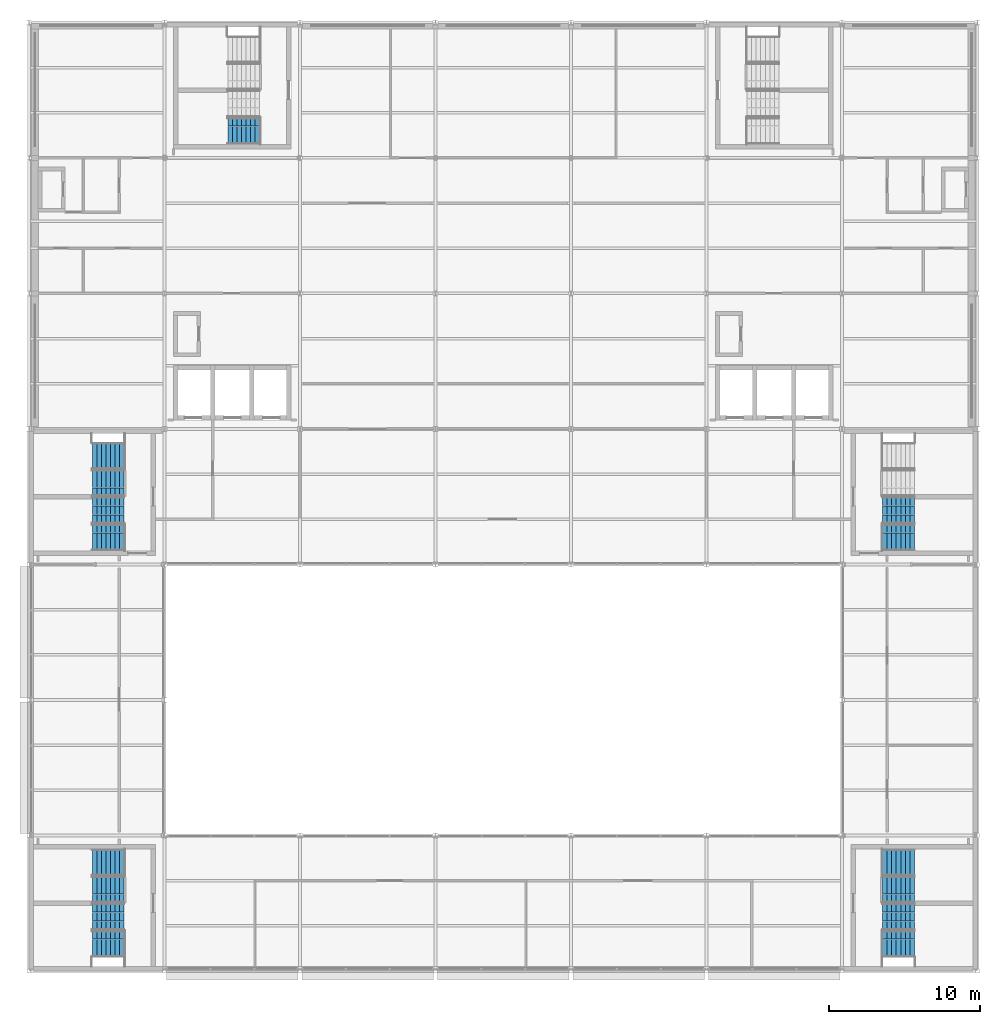
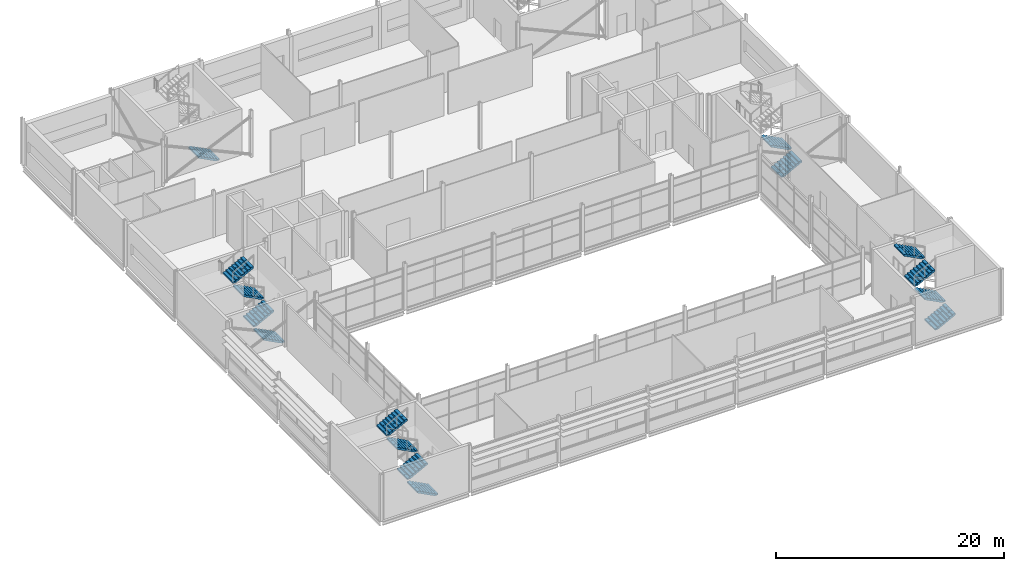
# One storey, part 54 of 61: 15 stair flights, 5 elements without a shape of their own.
"""IFC4 building model written with IfcOpenShell, lengths in metres."""

from ifc_helpers import new_model, si_unit, direction, frame, origin, place, context, subcontext, project, spatial, polyline, outline, extrude, material, type_object, element, aggregate, save


model = new_model("IFC4")

# Units and contexts
model_context = context("Model", 3, precision=1e-05, world=origin(), true_north=direction((0.0, 1.0)))
body_context = subcontext(model_context, "Body", "Model", "MODEL_VIEW")
ifc_project = project(units=[si_unit("LENGTHUNIT", "METRE"), si_unit("AREAUNIT", "SQUARE_METRE"), si_unit("VOLUMEUNIT", "CUBIC_METRE"), si_unit("PLANEANGLEUNIT", "RADIAN"), si_unit("MASSUNIT", "GRAM", prefix="KILO")], contexts=[model_context])

# Site, building, storey
site_placement = place(None, origin())
site = spatial("IfcSite", under=ifc_project, at=site_placement, CompositionType="ELEMENT")
building_placement = place(site_placement, origin())
building = spatial("IfcBuilding", under=site, at=building_placement, Name="Shorebreak Coast Museum", CompositionType="ELEMENT")
storey_placement = place(building_placement, frame((0.0, 0.0, 26.0)))
storey = spatial("IfcBuildingStorey", under=building, at=storey_placement, Name="L04", CompositionType="ELEMENT", Elevation=26.0)

# Stair, stair flights
ifc_material_1 = material(Name="Concrete N40 (40 MPa)", Category="concrete")
stair_type = type_object("IfcStairType", Name="Stair run 5 m", PredefinedType="DOUBLE_RETURN_STAIR", material=ifc_material_1)
stair_1_placement = place(storey_placement, origin())
stair_1 = element("IfcStair", 1, at=stair_1_placement, inside=storey, type_object=stair_type, Name="Exit stair ST01-L04", PredefinedType="DOUBLE_RETURN_STAIR")
ifc_material_2 = material(Name="Concrete N40 (40 MPa)", Category="concrete")
stair_flight_type = type_object("IfcStairFlightType", Name="Stair flight 8 risers 156.25", PredefinedType="STRAIGHT", material=ifc_material_2)
stair_flight_1_placement = place(storey_placement, frame((60.300048828125, 55.800048828125, 0.0), z_axis=(0.0, 0.0, 1.0), x_axis=(-1.0, 0.0, 0.0)))
stair_flight_1 = element("IfcStairFlight", 2, at=stair_flight_1_placement, type_object=stair_flight_type, Name="ST01-L04 flight 1", NumberOfRisers=8, NumberOfTreads=7, PredefinedType="STRAIGHT", RiserHeight=0.15625, TreadLength=0.3, context=body_context, shape_type="SweptSolid", body=[
    extrude(outline(polyline([(0.0, 0.0), (0.0, 0.15625), (0.300048828125, 0.15625), (0.300048828125, 0.3125), (0.60009765625, 0.3125), (0.60009765625, 0.46875), (0.89990234375, 0.46875), (0.89990234375, 0.625), (1.199951171875, 0.625), (1.199951171875, 0.78125), (1.5, 0.78125), (1.5, 0.9375), (1.800048828125, 0.9375), (1.800048828125, 1.09375), (2.10009765625, 1.09375), (2.10009765625, 1.25), (2.10009765625, 0.9248046875), (0.324462890625, 0.0), (0.0, 0.0)])), frame((0.0, 0.89990234375, 0.0), z_axis=(0.0, -1.0, 0.0), x_axis=(1.0, 0.0, 0.0)), (0.0, 0.0, 1.0), 0.59326171875),
    extrude(outline(polyline([(0.0, 0.0), (0.0, 0.15625), (0.300048828125, 0.15625), (0.300048828125, 0.3125), (0.60009765625, 0.3125), (0.60009765625, 0.46875), (0.89990234375, 0.46875), (0.89990234375, 0.625), (1.199951171875, 0.625), (1.199951171875, 0.78125), (1.5, 0.78125), (1.5, 0.9375), (1.800048828125, 0.9375), (1.800048828125, 1.09375), (2.10009765625, 1.09375), (2.10009765625, 1.25), (2.10009765625, 0.9248046875), (0.324462890625, 0.0), (0.0, 0.0)])), frame((0.0, 0.296630859375, 0.0), z_axis=(0.0, -1.0, 0.0), x_axis=(1.0, 0.0, 0.0)), (0.0, 0.0, 1.0), 0.59326171875),
    extrude(outline(polyline([(0.0, 0.0), (0.0, 0.15625), (0.300048828125, 0.15625), (0.300048828125, 0.3125), (0.60009765625, 0.3125), (0.60009765625, 0.46875), (0.89990234375, 0.46875), (0.89990234375, 0.625), (1.199951171875, 0.625), (1.199951171875, 0.78125), (1.5, 0.78125), (1.5, 0.9375), (1.800048828125, 0.9375), (1.800048828125, 1.09375), (2.10009765625, 1.09375), (2.10009765625, 1.25), (2.10009765625, 0.9248046875), (0.324462890625, 0.0), (0.0, 0.0)])), frame((0.0, -0.306640625, 0.0), z_axis=(0.0, -1.0, 0.0), x_axis=(1.0, 0.0, 0.0)), (0.0, 0.0, 1.0), 0.59326171875),
])
stair_flight_2_placement = place(storey_placement, frame((58.199951171875, 57.60009765625, 1.25), z_axis=(0.0, 0.0, 1.0), x_axis=(1.0, 0.0, 0.0)))
stair_flight_2 = element("IfcStairFlight", 3, at=stair_flight_2_placement, type_object=stair_flight_type, Name="ST01-L04 flight 2", NumberOfRisers=8, NumberOfTreads=7, PredefinedType="STRAIGHT", RiserHeight=0.15625, TreadLength=0.3, context=body_context, shape_type="SweptSolid", body=[
    extrude(outline(polyline([(0.0, 0.0), (0.0, 0.15625), (0.300048828125, 0.15625), (0.300048828125, 0.3125), (0.60009765625, 0.3125), (0.60009765625, 0.46875), (0.89990234375, 0.46875), (0.89990234375, 0.625), (1.199951171875, 0.625), (1.199951171875, 0.78125), (1.5, 0.78125), (1.5, 0.9375), (1.800048828125, 0.9375), (1.800048828125, 1.09375), (2.10009765625, 1.09375), (2.10009765625, 1.25), (2.10009765625, 0.9248046875), (0.324462890625, 0.0), (0.0, 0.0)])), frame((0.0, 0.89990234375, 0.0), z_axis=(0.0, -1.0, 0.0), x_axis=(1.0, 0.0, 0.0)), (0.0, 0.0, 1.0), 0.59326171875),
    extrude(outline(polyline([(0.0, 0.0), (0.0, 0.15625), (0.300048828125, 0.15625), (0.300048828125, 0.3125), (0.60009765625, 0.3125), (0.60009765625, 0.46875), (0.89990234375, 0.46875), (0.89990234375, 0.625), (1.199951171875, 0.625), (1.199951171875, 0.78125), (1.5, 0.78125), (1.5, 0.9375), (1.800048828125, 0.9375), (1.800048828125, 1.09375), (2.10009765625, 1.09375), (2.10009765625, 1.25), (2.10009765625, 0.9248046875), (0.324462890625, 0.0), (0.0, 0.0)])), frame((0.0, 0.296630859375, 0.0), z_axis=(0.0, -1.0, 0.0), x_axis=(1.0, 0.0, 0.0)), (0.0, 0.0, 1.0), 0.59326171875),
    extrude(outline(polyline([(0.0, 0.0), (0.0, 0.15625), (0.300048828125, 0.15625), (0.300048828125, 0.3125), (0.60009765625, 0.3125), (0.60009765625, 0.46875), (0.89990234375, 0.46875), (0.89990234375, 0.625), (1.199951171875, 0.625), (1.199951171875, 0.78125), (1.5, 0.78125), (1.5, 0.9375), (1.800048828125, 0.9375), (1.800048828125, 1.09375), (2.10009765625, 1.09375), (2.10009765625, 1.25), (2.10009765625, 0.9248046875), (0.324462890625, 0.0), (0.0, 0.0)])), frame((0.0, -0.306640625, 0.0), z_axis=(0.0, -1.0, 0.0), x_axis=(1.0, 0.0, 0.0)), (0.0, 0.0, 1.0), 0.59326171875),
])
stair_flight_3_placement = place(storey_placement, frame((60.300048828125, 59.39990234375, 2.5), z_axis=(0.0, 0.0, 1.0), x_axis=(-1.0, 0.0, 0.0)))
stair_flight_3 = element("IfcStairFlight", 4, at=stair_flight_3_placement, type_object=stair_flight_type, Name="ST01-L04 flight 3", NumberOfRisers=8, NumberOfTreads=7, PredefinedType="STRAIGHT", RiserHeight=0.15625, TreadLength=0.3, context=body_context, shape_type="SweptSolid", body=[
    extrude(outline(polyline([(0.0, 0.0), (0.0, 0.15625), (0.300048828125, 0.15625), (0.300048828125, 0.3125), (0.60009765625, 0.3125), (0.60009765625, 0.46875), (0.89990234375, 0.46875), (0.89990234375, 0.625), (1.199951171875, 0.625), (1.199951171875, 0.78125), (1.5, 0.78125), (1.5, 0.9375), (1.800048828125, 0.9375), (1.800048828125, 1.09375), (2.10009765625, 1.09375), (2.10009765625, 1.25), (2.10009765625, 0.9248046875), (0.324462890625, 0.0), (0.0, 0.0)])), frame((0.0, 0.89990234375, 0.0), z_axis=(0.0, -1.0, 0.0), x_axis=(1.0, 0.0, 0.0)), (0.0, 0.0, 1.0), 0.59326171875),
    extrude(outline(polyline([(0.0, 0.0), (0.0, 0.15625), (0.300048828125, 0.15625), (0.300048828125, 0.3125), (0.60009765625, 0.3125), (0.60009765625, 0.46875), (0.89990234375, 0.46875), (0.89990234375, 0.625), (1.199951171875, 0.625), (1.199951171875, 0.78125), (1.5, 0.78125), (1.5, 0.9375), (1.800048828125, 0.9375), (1.800048828125, 1.09375), (2.10009765625, 1.09375), (2.10009765625, 1.25), (2.10009765625, 0.9248046875), (0.324462890625, 0.0), (0.0, 0.0)])), frame((0.0, 0.296630859375, 0.0), z_axis=(0.0, -1.0, 0.0), x_axis=(1.0, 0.0, 0.0)), (0.0, 0.0, 1.0), 0.59326171875),
    extrude(outline(polyline([(0.0, 0.0), (0.0, 0.15625), (0.300048828125, 0.15625), (0.300048828125, 0.3125), (0.60009765625, 0.3125), (0.60009765625, 0.46875), (0.89990234375, 0.46875), (0.89990234375, 0.625), (1.199951171875, 0.625), (1.199951171875, 0.78125), (1.5, 0.78125), (1.5, 0.9375), (1.800048828125, 0.9375), (1.800048828125, 1.09375), (2.10009765625, 1.09375), (2.10009765625, 1.25), (2.10009765625, 0.9248046875), (0.324462890625, 0.0), (0.0, 0.0)])), frame((0.0, -0.306640625, 0.0), z_axis=(0.0, -1.0, 0.0), x_axis=(1.0, 0.0, 0.0)), (0.0, 0.0, 1.0), 0.59326171875),
])
stair_flight_4_placement = place(storey_placement, frame((58.199951171875, 61.199951171875, 3.75), z_axis=(0.0, 0.0, 1.0), x_axis=(1.0, 0.0, 0.0)))
stair_flight_4 = element("IfcStairFlight", 5, at=stair_flight_4_placement, type_object=stair_flight_type, Name="ST01-L04 flight 4", NumberOfRisers=8, NumberOfTreads=7, PredefinedType="STRAIGHT", RiserHeight=0.15625, TreadLength=0.3, context=body_context, shape_type="SweptSolid", body=[
    extrude(outline(polyline([(0.0, 0.0), (0.0, 0.15625), (0.300048828125, 0.15625), (0.300048828125, 0.3125), (0.60009765625, 0.3125), (0.60009765625, 0.46875), (0.89990234375, 0.46875), (0.89990234375, 0.625), (1.199951171875, 0.625), (1.199951171875, 0.78125), (1.5, 0.78125), (1.5, 0.9375), (1.800048828125, 0.9375), (1.800048828125, 1.09375), (2.10009765625, 1.09375), (2.10009765625, 1.25), (2.10009765625, 0.9248046875), (0.324462890625, 0.0), (0.0, 0.0)])), frame((0.0, 0.89990234375, 0.0), z_axis=(0.0, -1.0, 0.0), x_axis=(1.0, 0.0, 0.0)), (0.0, 0.0, 1.0), 0.59326171875),
    extrude(outline(polyline([(0.0, 0.0), (0.0, 0.15625), (0.300048828125, 0.15625), (0.300048828125, 0.3125), (0.60009765625, 0.3125), (0.60009765625, 0.46875), (0.89990234375, 0.46875), (0.89990234375, 0.625), (1.199951171875, 0.625), (1.199951171875, 0.78125), (1.5, 0.78125), (1.5, 0.9375), (1.800048828125, 0.9375), (1.800048828125, 1.09375), (2.10009765625, 1.09375), (2.10009765625, 1.25), (2.10009765625, 0.9248046875), (0.324462890625, 0.0), (0.0, 0.0)])), frame((0.0, 0.296630859375, 0.0), z_axis=(0.0, -1.0, 0.0), x_axis=(1.0, 0.0, 0.0)), (0.0, 0.0, 1.0), 0.59326171875),
    extrude(outline(polyline([(0.0, 0.0), (0.0, 0.15625), (0.300048828125, 0.15625), (0.300048828125, 0.3125), (0.60009765625, 0.3125), (0.60009765625, 0.46875), (0.89990234375, 0.46875), (0.89990234375, 0.625), (1.199951171875, 0.625), (1.199951171875, 0.78125), (1.5, 0.78125), (1.5, 0.9375), (1.800048828125, 0.9375), (1.800048828125, 1.09375), (2.10009765625, 1.09375), (2.10009765625, 1.25), (2.10009765625, 0.9248046875), (0.324462890625, 0.0), (0.0, 0.0)])), frame((0.0, -0.306640625, 0.0), z_axis=(0.0, -1.0, 0.0), x_axis=(1.0, 0.0, 0.0)), (0.0, 0.0, 1.0), 0.59326171875),
])
aggregate(stair_1, [stair_flight_1, stair_flight_2, stair_flight_3, stair_flight_4])

stair_2_placement = place(storey_placement, origin())
stair_2 = element("IfcStair", 6, at=stair_2_placement, inside=storey, type_object=stair_type, Name="Exit stair ST02-L04", PredefinedType="DOUBLE_RETURN_STAIR")
stair_flight_5_placement = place(storey_placement, frame((110.699951171875, 55.800048828125, 0.0), z_axis=(0.0, 0.0, 1.0), x_axis=(1.0, 0.0, 0.0)))
stair_flight_5 = element("IfcStairFlight", 7, at=stair_flight_5_placement, type_object=stair_flight_type, Name="ST02-L04 flight 1", NumberOfRisers=8, NumberOfTreads=7, PredefinedType="STRAIGHT", RiserHeight=0.15625, TreadLength=0.3, context=body_context, shape_type="SweptSolid", body=[
    extrude(outline(polyline([(0.0, 0.0), (0.0, 0.15625), (0.300048828125, 0.15625), (0.300048828125, 0.3125), (0.60009765625, 0.3125), (0.60009765625, 0.46875), (0.89990234375, 0.46875), (0.89990234375, 0.625), (1.199951171875, 0.625), (1.199951171875, 0.78125), (1.5, 0.78125), (1.5, 0.9375), (1.800048828125, 0.9375), (1.800048828125, 1.09375), (2.10009765625, 1.09375), (2.10009765625, 1.25), (2.10009765625, 0.9248046875), (0.324462890625, 0.0), (0.0, 0.0)])), frame((0.0, 0.89990234375, 0.0), z_axis=(0.0, -1.0, 0.0), x_axis=(1.0, 0.0, 0.0)), (0.0, 0.0, 1.0), 0.59326171875),
    extrude(outline(polyline([(0.0, 0.0), (0.0, 0.15625), (0.300048828125, 0.15625), (0.300048828125, 0.3125), (0.60009765625, 0.3125), (0.60009765625, 0.46875), (0.89990234375, 0.46875), (0.89990234375, 0.625), (1.199951171875, 0.625), (1.199951171875, 0.78125), (1.5, 0.78125), (1.5, 0.9375), (1.800048828125, 0.9375), (1.800048828125, 1.09375), (2.10009765625, 1.09375), (2.10009765625, 1.25), (2.10009765625, 0.9248046875), (0.324462890625, 0.0), (0.0, 0.0)])), frame((0.0, 0.296630859375, 0.0), z_axis=(0.0, -1.0, 0.0), x_axis=(1.0, 0.0, 0.0)), (0.0, 0.0, 1.0), 0.59326171875),
    extrude(outline(polyline([(0.0, 0.0), (0.0, 0.15625), (0.300048828125, 0.15625), (0.300048828125, 0.3125), (0.60009765625, 0.3125), (0.60009765625, 0.46875), (0.89990234375, 0.46875), (0.89990234375, 0.625), (1.199951171875, 0.625), (1.199951171875, 0.78125), (1.5, 0.78125), (1.5, 0.9375), (1.800048828125, 0.9375), (1.800048828125, 1.09375), (2.10009765625, 1.09375), (2.10009765625, 1.25), (2.10009765625, 0.9248046875), (0.324462890625, 0.0), (0.0, 0.0)])), frame((0.0, -0.306640625, 0.0), z_axis=(0.0, -1.0, 0.0), x_axis=(1.0, 0.0, 0.0)), (0.0, 0.0, 1.0), 0.59326171875),
])
stair_flight_6_placement = place(storey_placement, frame((112.800048828125, 57.60009765625, 1.25), z_axis=(0.0, 0.0, 1.0), x_axis=(-1.0, 0.0, 0.0)))
stair_flight_6 = element("IfcStairFlight", 8, at=stair_flight_6_placement, type_object=stair_flight_type, Name="ST02-L04 flight 2", NumberOfRisers=8, NumberOfTreads=7, PredefinedType="STRAIGHT", RiserHeight=0.15625, TreadLength=0.3, context=body_context, shape_type="SweptSolid", body=[
    extrude(outline(polyline([(0.0, 0.0), (0.0, 0.15625), (0.300048828125, 0.15625), (0.300048828125, 0.3125), (0.60009765625, 0.3125), (0.60009765625, 0.46875), (0.89990234375, 0.46875), (0.89990234375, 0.625), (1.199951171875, 0.625), (1.199951171875, 0.78125), (1.5, 0.78125), (1.5, 0.9375), (1.800048828125, 0.9375), (1.800048828125, 1.09375), (2.10009765625, 1.09375), (2.10009765625, 1.25), (2.10009765625, 0.9248046875), (0.324462890625, 0.0), (0.0, 0.0)])), frame((0.0, 0.89990234375, 0.0), z_axis=(0.0, -1.0, 0.0), x_axis=(1.0, 0.0, 0.0)), (0.0, 0.0, 1.0), 0.59326171875),
    extrude(outline(polyline([(0.0, 0.0), (0.0, 0.15625), (0.300048828125, 0.15625), (0.300048828125, 0.3125), (0.60009765625, 0.3125), (0.60009765625, 0.46875), (0.89990234375, 0.46875), (0.89990234375, 0.625), (1.199951171875, 0.625), (1.199951171875, 0.78125), (1.5, 0.78125), (1.5, 0.9375), (1.800048828125, 0.9375), (1.800048828125, 1.09375), (2.10009765625, 1.09375), (2.10009765625, 1.25), (2.10009765625, 0.9248046875), (0.324462890625, 0.0), (0.0, 0.0)])), frame((0.0, 0.296630859375, 0.0), z_axis=(0.0, -1.0, 0.0), x_axis=(1.0, 0.0, 0.0)), (0.0, 0.0, 1.0), 0.59326171875),
    extrude(outline(polyline([(0.0, 0.0), (0.0, 0.15625), (0.300048828125, 0.15625), (0.300048828125, 0.3125), (0.60009765625, 0.3125), (0.60009765625, 0.46875), (0.89990234375, 0.46875), (0.89990234375, 0.625), (1.199951171875, 0.625), (1.199951171875, 0.78125), (1.5, 0.78125), (1.5, 0.9375), (1.800048828125, 0.9375), (1.800048828125, 1.09375), (2.10009765625, 1.09375), (2.10009765625, 1.25), (2.10009765625, 0.9248046875), (0.324462890625, 0.0), (0.0, 0.0)])), frame((0.0, -0.306640625, 0.0), z_axis=(0.0, -1.0, 0.0), x_axis=(1.0, 0.0, 0.0)), (0.0, 0.0, 1.0), 0.59326171875),
])
stair_flight_7_placement = place(storey_placement, frame((110.699951171875, 59.39990234375, 2.5), z_axis=(0.0, 0.0, 1.0), x_axis=(1.0, 0.0, 0.0)))
stair_flight_7 = element("IfcStairFlight", 9, at=stair_flight_7_placement, type_object=stair_flight_type, Name="ST02-L04 flight 3", NumberOfRisers=8, NumberOfTreads=7, PredefinedType="STRAIGHT", RiserHeight=0.15625, TreadLength=0.3, context=body_context, shape_type="SweptSolid", body=[
    extrude(outline(polyline([(0.0, 0.0), (0.0, 0.15625), (0.300048828125, 0.15625), (0.300048828125, 0.3125), (0.60009765625, 0.3125), (0.60009765625, 0.46875), (0.89990234375, 0.46875), (0.89990234375, 0.625), (1.199951171875, 0.625), (1.199951171875, 0.78125), (1.5, 0.78125), (1.5, 0.9375), (1.800048828125, 0.9375), (1.800048828125, 1.09375), (2.10009765625, 1.09375), (2.10009765625, 1.25), (2.10009765625, 0.9248046875), (0.324462890625, 0.0), (0.0, 0.0)])), frame((0.0, 0.89990234375, 0.0), z_axis=(0.0, -1.0, 0.0), x_axis=(1.0, 0.0, 0.0)), (0.0, 0.0, 1.0), 0.59326171875),
    extrude(outline(polyline([(0.0, 0.0), (0.0, 0.15625), (0.300048828125, 0.15625), (0.300048828125, 0.3125), (0.60009765625, 0.3125), (0.60009765625, 0.46875), (0.89990234375, 0.46875), (0.89990234375, 0.625), (1.199951171875, 0.625), (1.199951171875, 0.78125), (1.5, 0.78125), (1.5, 0.9375), (1.800048828125, 0.9375), (1.800048828125, 1.09375), (2.10009765625, 1.09375), (2.10009765625, 1.25), (2.10009765625, 0.9248046875), (0.324462890625, 0.0), (0.0, 0.0)])), frame((0.0, 0.296630859375, 0.0), z_axis=(0.0, -1.0, 0.0), x_axis=(1.0, 0.0, 0.0)), (0.0, 0.0, 1.0), 0.59326171875),
    extrude(outline(polyline([(0.0, 0.0), (0.0, 0.15625), (0.300048828125, 0.15625), (0.300048828125, 0.3125), (0.60009765625, 0.3125), (0.60009765625, 0.46875), (0.89990234375, 0.46875), (0.89990234375, 0.625), (1.199951171875, 0.625), (1.199951171875, 0.78125), (1.5, 0.78125), (1.5, 0.9375), (1.800048828125, 0.9375), (1.800048828125, 1.09375), (2.10009765625, 1.09375), (2.10009765625, 1.25), (2.10009765625, 0.9248046875), (0.324462890625, 0.0), (0.0, 0.0)])), frame((0.0, -0.306640625, 0.0), z_axis=(0.0, -1.0, 0.0), x_axis=(1.0, 0.0, 0.0)), (0.0, 0.0, 1.0), 0.59326171875),
])
stair_flight_8_placement = place(storey_placement, frame((112.800048828125, 61.199951171875, 3.75), z_axis=(0.0, 0.0, 1.0), x_axis=(-1.0, 0.0, 0.0)))
stair_flight_8 = element("IfcStairFlight", 10, at=stair_flight_8_placement, type_object=stair_flight_type, Name="ST02-L04 flight 4", NumberOfRisers=8, NumberOfTreads=7, PredefinedType="STRAIGHT", RiserHeight=0.15625, TreadLength=0.3, context=body_context, shape_type="SweptSolid", body=[
    extrude(outline(polyline([(0.0, 0.0), (0.0, 0.15625), (0.300048828125, 0.15625), (0.300048828125, 0.3125), (0.60009765625, 0.3125), (0.60009765625, 0.46875), (0.89990234375, 0.46875), (0.89990234375, 0.625), (1.199951171875, 0.625), (1.199951171875, 0.78125), (1.5, 0.78125), (1.5, 0.9375), (1.800048828125, 0.9375), (1.800048828125, 1.09375), (2.10009765625, 1.09375), (2.10009765625, 1.25), (2.10009765625, 0.9248046875), (0.324462890625, 0.0), (0.0, 0.0)])), frame((0.0, 0.89990234375, 0.0), z_axis=(0.0, -1.0, 0.0), x_axis=(1.0, 0.0, 0.0)), (0.0, 0.0, 1.0), 0.59326171875),
    extrude(outline(polyline([(0.0, 0.0), (0.0, 0.15625), (0.300048828125, 0.15625), (0.300048828125, 0.3125), (0.60009765625, 0.3125), (0.60009765625, 0.46875), (0.89990234375, 0.46875), (0.89990234375, 0.625), (1.199951171875, 0.625), (1.199951171875, 0.78125), (1.5, 0.78125), (1.5, 0.9375), (1.800048828125, 0.9375), (1.800048828125, 1.09375), (2.10009765625, 1.09375), (2.10009765625, 1.25), (2.10009765625, 0.9248046875), (0.324462890625, 0.0), (0.0, 0.0)])), frame((0.0, 0.296630859375, 0.0), z_axis=(0.0, -1.0, 0.0), x_axis=(1.0, 0.0, 0.0)), (0.0, 0.0, 1.0), 0.59326171875),
    extrude(outline(polyline([(0.0, 0.0), (0.0, 0.15625), (0.300048828125, 0.15625), (0.300048828125, 0.3125), (0.60009765625, 0.3125), (0.60009765625, 0.46875), (0.89990234375, 0.46875), (0.89990234375, 0.625), (1.199951171875, 0.625), (1.199951171875, 0.78125), (1.5, 0.78125), (1.5, 0.9375), (1.800048828125, 0.9375), (1.800048828125, 1.09375), (2.10009765625, 1.09375), (2.10009765625, 1.25), (2.10009765625, 0.9248046875), (0.324462890625, 0.0), (0.0, 0.0)])), frame((0.0, -0.306640625, 0.0), z_axis=(0.0, -1.0, 0.0), x_axis=(1.0, 0.0, 0.0)), (0.0, 0.0, 1.0), 0.59326171875),
])
aggregate(stair_2, [stair_flight_5, stair_flight_6, stair_flight_7, stair_flight_8])

stair_3_placement = place(storey_placement, origin())
stair_3 = element("IfcStair", 11, at=stair_3_placement, inside=storey, type_object=stair_type, Name="Exit stair ST03-L04", PredefinedType="DOUBLE_RETURN_STAIR")
stair_flight_9_placement = place(storey_placement, frame((60.300048828125, 82.800048828125, 0.0), z_axis=(0.0, 0.0, 1.0), x_axis=(-1.0, 0.0, 0.0)))
stair_flight_9 = element("IfcStairFlight", 12, at=stair_flight_9_placement, type_object=stair_flight_type, Name="ST03-L04 flight 1", NumberOfRisers=8, NumberOfTreads=7, PredefinedType="STRAIGHT", RiserHeight=0.15625, TreadLength=0.3, context=body_context, shape_type="SweptSolid", body=[
    extrude(outline(polyline([(0.0, 0.0), (0.0, 0.15625), (0.300048828125, 0.15625), (0.300048828125, 0.3125), (0.60009765625, 0.3125), (0.60009765625, 0.46875), (0.89990234375, 0.46875), (0.89990234375, 0.625), (1.199951171875, 0.625), (1.199951171875, 0.78125), (1.5, 0.78125), (1.5, 0.9375), (1.800048828125, 0.9375), (1.800048828125, 1.09375), (2.10009765625, 1.09375), (2.10009765625, 1.25), (2.10009765625, 0.9248046875), (0.324462890625, 0.0), (0.0, 0.0)])), frame((0.0, 0.89990234375, 0.0), z_axis=(0.0, -1.0, 0.0), x_axis=(1.0, 0.0, 0.0)), (0.0, 0.0, 1.0), 0.59326171875),
    extrude(outline(polyline([(0.0, 0.0), (0.0, 0.15625), (0.300048828125, 0.15625), (0.300048828125, 0.3125), (0.60009765625, 0.3125), (0.60009765625, 0.46875), (0.89990234375, 0.46875), (0.89990234375, 0.625), (1.199951171875, 0.625), (1.199951171875, 0.78125), (1.5, 0.78125), (1.5, 0.9375), (1.800048828125, 0.9375), (1.800048828125, 1.09375), (2.10009765625, 1.09375), (2.10009765625, 1.25), (2.10009765625, 0.9248046875), (0.324462890625, 0.0), (0.0, 0.0)])), frame((0.0, 0.296630859375, 0.0), z_axis=(0.0, -1.0, 0.0), x_axis=(1.0, 0.0, 0.0)), (0.0, 0.0, 1.0), 0.59326171875),
    extrude(outline(polyline([(0.0, 0.0), (0.0, 0.15625), (0.300048828125, 0.15625), (0.300048828125, 0.3125), (0.60009765625, 0.3125), (0.60009765625, 0.46875), (0.89990234375, 0.46875), (0.89990234375, 0.625), (1.199951171875, 0.625), (1.199951171875, 0.78125), (1.5, 0.78125), (1.5, 0.9375), (1.800048828125, 0.9375), (1.800048828125, 1.09375), (2.10009765625, 1.09375), (2.10009765625, 1.25), (2.10009765625, 0.9248046875), (0.324462890625, 0.0), (0.0, 0.0)])), frame((0.0, -0.306640625, 0.0), z_axis=(0.0, -1.0, 0.0), x_axis=(1.0, 0.0, 0.0)), (0.0, 0.0, 1.0), 0.59326171875),
])
stair_flight_10_placement = place(storey_placement, frame((58.199951171875, 84.60009765625, 1.25), z_axis=(0.0, 0.0, 1.0), x_axis=(1.0, 0.0, 0.0)))
stair_flight_10 = element("IfcStairFlight", 13, at=stair_flight_10_placement, type_object=stair_flight_type, Name="ST03-L04 flight 2", NumberOfRisers=8, NumberOfTreads=7, PredefinedType="STRAIGHT", RiserHeight=0.15625, TreadLength=0.3, context=body_context, shape_type="SweptSolid", body=[
    extrude(outline(polyline([(0.0, 0.0), (0.0, 0.15625), (0.300048828125, 0.15625), (0.300048828125, 0.3125), (0.60009765625, 0.3125), (0.60009765625, 0.46875), (0.89990234375, 0.46875), (0.89990234375, 0.625), (1.199951171875, 0.625), (1.199951171875, 0.78125), (1.5, 0.78125), (1.5, 0.9375), (1.800048828125, 0.9375), (1.800048828125, 1.09375), (2.10009765625, 1.09375), (2.10009765625, 1.25), (2.10009765625, 0.9248046875), (0.324462890625, 0.0), (0.0, 0.0)])), frame((0.0, 0.89990234375, 0.0), z_axis=(0.0, -1.0, 0.0), x_axis=(1.0, 0.0, 0.0)), (0.0, 0.0, 1.0), 0.59326171875),
    extrude(outline(polyline([(0.0, 0.0), (0.0, 0.15625), (0.300048828125, 0.15625), (0.300048828125, 0.3125), (0.60009765625, 0.3125), (0.60009765625, 0.46875), (0.89990234375, 0.46875), (0.89990234375, 0.625), (1.199951171875, 0.625), (1.199951171875, 0.78125), (1.5, 0.78125), (1.5, 0.9375), (1.800048828125, 0.9375), (1.800048828125, 1.09375), (2.10009765625, 1.09375), (2.10009765625, 1.25), (2.10009765625, 0.9248046875), (0.324462890625, 0.0), (0.0, 0.0)])), frame((0.0, 0.296630859375, 0.0), z_axis=(0.0, -1.0, 0.0), x_axis=(1.0, 0.0, 0.0)), (0.0, 0.0, 1.0), 0.59326171875),
    extrude(outline(polyline([(0.0, 0.0), (0.0, 0.15625), (0.300048828125, 0.15625), (0.300048828125, 0.3125), (0.60009765625, 0.3125), (0.60009765625, 0.46875), (0.89990234375, 0.46875), (0.89990234375, 0.625), (1.199951171875, 0.625), (1.199951171875, 0.78125), (1.5, 0.78125), (1.5, 0.9375), (1.800048828125, 0.9375), (1.800048828125, 1.09375), (2.10009765625, 1.09375), (2.10009765625, 1.25), (2.10009765625, 0.9248046875), (0.324462890625, 0.0), (0.0, 0.0)])), frame((0.0, -0.306640625, 0.0), z_axis=(0.0, -1.0, 0.0), x_axis=(1.0, 0.0, 0.0)), (0.0, 0.0, 1.0), 0.59326171875),
])
stair_flight_11_placement = place(storey_placement, frame((60.300048828125, 86.39990234375, 2.5), z_axis=(0.0, 0.0, 1.0), x_axis=(-1.0, 0.0, 0.0)))
stair_flight_11 = element("IfcStairFlight", 14, at=stair_flight_11_placement, type_object=stair_flight_type, Name="ST03-L04 flight 3", NumberOfRisers=8, NumberOfTreads=7, PredefinedType="STRAIGHT", RiserHeight=0.15625, TreadLength=0.3, context=body_context, shape_type="SweptSolid", body=[
    extrude(outline(polyline([(0.0, 0.0), (0.0, 0.15625), (0.300048828125, 0.15625), (0.300048828125, 0.3125), (0.60009765625, 0.3125), (0.60009765625, 0.46875), (0.89990234375, 0.46875), (0.89990234375, 0.625), (1.199951171875, 0.625), (1.199951171875, 0.78125), (1.5, 0.78125), (1.5, 0.9375), (1.800048828125, 0.9375), (1.800048828125, 1.09375), (2.10009765625, 1.09375), (2.10009765625, 1.25), (2.10009765625, 0.9248046875), (0.324462890625, 0.0), (0.0, 0.0)])), frame((0.0, 0.89990234375, 0.0), z_axis=(0.0, -1.0, 0.0), x_axis=(1.0, 0.0, 0.0)), (0.0, 0.0, 1.0), 0.59326171875),
    extrude(outline(polyline([(0.0, 0.0), (0.0, 0.15625), (0.300048828125, 0.15625), (0.300048828125, 0.3125), (0.60009765625, 0.3125), (0.60009765625, 0.46875), (0.89990234375, 0.46875), (0.89990234375, 0.625), (1.199951171875, 0.625), (1.199951171875, 0.78125), (1.5, 0.78125), (1.5, 0.9375), (1.800048828125, 0.9375), (1.800048828125, 1.09375), (2.10009765625, 1.09375), (2.10009765625, 1.25), (2.10009765625, 0.9248046875), (0.324462890625, 0.0), (0.0, 0.0)])), frame((0.0, 0.296630859375, 0.0), z_axis=(0.0, -1.0, 0.0), x_axis=(1.0, 0.0, 0.0)), (0.0, 0.0, 1.0), 0.59326171875),
    extrude(outline(polyline([(0.0, 0.0), (0.0, 0.15625), (0.300048828125, 0.15625), (0.300048828125, 0.3125), (0.60009765625, 0.3125), (0.60009765625, 0.46875), (0.89990234375, 0.46875), (0.89990234375, 0.625), (1.199951171875, 0.625), (1.199951171875, 0.78125), (1.5, 0.78125), (1.5, 0.9375), (1.800048828125, 0.9375), (1.800048828125, 1.09375), (2.10009765625, 1.09375), (2.10009765625, 1.25), (2.10009765625, 0.9248046875), (0.324462890625, 0.0), (0.0, 0.0)])), frame((0.0, -0.306640625, 0.0), z_axis=(0.0, -1.0, 0.0), x_axis=(1.0, 0.0, 0.0)), (0.0, 0.0, 1.0), 0.59326171875),
])
stair_flight_12_placement = place(storey_placement, frame((58.199951171875, 88.199951171875, 3.75), z_axis=(0.0, 0.0, 1.0), x_axis=(1.0, 0.0, 0.0)))
stair_flight_12 = element("IfcStairFlight", 15, at=stair_flight_12_placement, type_object=stair_flight_type, Name="ST03-L04 flight 4", NumberOfRisers=8, NumberOfTreads=7, PredefinedType="STRAIGHT", RiserHeight=0.15625, TreadLength=0.3, context=body_context, shape_type="SweptSolid", body=[
    extrude(outline(polyline([(0.0, 0.0), (0.0, 0.15625), (0.300048828125, 0.15625), (0.300048828125, 0.3125), (0.60009765625, 0.3125), (0.60009765625, 0.46875), (0.89990234375, 0.46875), (0.89990234375, 0.625), (1.199951171875, 0.625), (1.199951171875, 0.78125), (1.5, 0.78125), (1.5, 0.9375), (1.800048828125, 0.9375), (1.800048828125, 1.09375), (2.10009765625, 1.09375), (2.10009765625, 1.25), (2.10009765625, 0.9248046875), (0.324462890625, 0.0), (0.0, 0.0)])), frame((0.0, 0.89990234375, 0.0), z_axis=(0.0, -1.0, 0.0), x_axis=(1.0, 0.0, 0.0)), (0.0, 0.0, 1.0), 0.59326171875),
    extrude(outline(polyline([(0.0, 0.0), (0.0, 0.15625), (0.300048828125, 0.15625), (0.300048828125, 0.3125), (0.60009765625, 0.3125), (0.60009765625, 0.46875), (0.89990234375, 0.46875), (0.89990234375, 0.625), (1.199951171875, 0.625), (1.199951171875, 0.78125), (1.5, 0.78125), (1.5, 0.9375), (1.800048828125, 0.9375), (1.800048828125, 1.09375), (2.10009765625, 1.09375), (2.10009765625, 1.25), (2.10009765625, 0.9248046875), (0.324462890625, 0.0), (0.0, 0.0)])), frame((0.0, 0.296630859375, 0.0), z_axis=(0.0, -1.0, 0.0), x_axis=(1.0, 0.0, 0.0)), (0.0, 0.0, 1.0), 0.59326171875),
    extrude(outline(polyline([(0.0, 0.0), (0.0, 0.15625), (0.300048828125, 0.15625), (0.300048828125, 0.3125), (0.60009765625, 0.3125), (0.60009765625, 0.46875), (0.89990234375, 0.46875), (0.89990234375, 0.625), (1.199951171875, 0.625), (1.199951171875, 0.78125), (1.5, 0.78125), (1.5, 0.9375), (1.800048828125, 0.9375), (1.800048828125, 1.09375), (2.10009765625, 1.09375), (2.10009765625, 1.25), (2.10009765625, 0.9248046875), (0.324462890625, 0.0), (0.0, 0.0)])), frame((0.0, -0.306640625, 0.0), z_axis=(0.0, -1.0, 0.0), x_axis=(1.0, 0.0, 0.0)), (0.0, 0.0, 1.0), 0.59326171875),
])
aggregate(stair_3, [stair_flight_9, stair_flight_10, stair_flight_11, stair_flight_12])

stair_4_placement = place(storey_placement, origin())
stair_4 = element("IfcStair", 16, at=stair_4_placement, inside=storey, type_object=stair_type, Name="Exit stair ST04-L04", PredefinedType="DOUBLE_RETURN_STAIR")
stair_flight_13_placement = place(storey_placement, frame((110.699951171875, 82.800048828125, 0.0), z_axis=(0.0, 0.0, 1.0), x_axis=(1.0, 0.0, 0.0)))
stair_flight_13 = element("IfcStairFlight", 17, at=stair_flight_13_placement, type_object=stair_flight_type, Name="ST04-L04 flight 1", NumberOfRisers=8, NumberOfTreads=7, PredefinedType="STRAIGHT", RiserHeight=0.15625, TreadLength=0.3, context=body_context, shape_type="SweptSolid", body=[
    extrude(outline(polyline([(0.0, 0.0), (0.0, 0.15625), (0.300048828125, 0.15625), (0.300048828125, 0.3125), (0.60009765625, 0.3125), (0.60009765625, 0.46875), (0.89990234375, 0.46875), (0.89990234375, 0.625), (1.199951171875, 0.625), (1.199951171875, 0.78125), (1.5, 0.78125), (1.5, 0.9375), (1.800048828125, 0.9375), (1.800048828125, 1.09375), (2.10009765625, 1.09375), (2.10009765625, 1.25), (2.10009765625, 0.9248046875), (0.324462890625, 0.0), (0.0, 0.0)])), frame((0.0, 0.89990234375, 0.0), z_axis=(0.0, -1.0, 0.0), x_axis=(1.0, 0.0, 0.0)), (0.0, 0.0, 1.0), 0.59326171875),
    extrude(outline(polyline([(0.0, 0.0), (0.0, 0.15625), (0.300048828125, 0.15625), (0.300048828125, 0.3125), (0.60009765625, 0.3125), (0.60009765625, 0.46875), (0.89990234375, 0.46875), (0.89990234375, 0.625), (1.199951171875, 0.625), (1.199951171875, 0.78125), (1.5, 0.78125), (1.5, 0.9375), (1.800048828125, 0.9375), (1.800048828125, 1.09375), (2.10009765625, 1.09375), (2.10009765625, 1.25), (2.10009765625, 0.9248046875), (0.324462890625, 0.0), (0.0, 0.0)])), frame((0.0, 0.296630859375, 0.0), z_axis=(0.0, -1.0, 0.0), x_axis=(1.0, 0.0, 0.0)), (0.0, 0.0, 1.0), 0.59326171875),
    extrude(outline(polyline([(0.0, 0.0), (0.0, 0.15625), (0.300048828125, 0.15625), (0.300048828125, 0.3125), (0.60009765625, 0.3125), (0.60009765625, 0.46875), (0.89990234375, 0.46875), (0.89990234375, 0.625), (1.199951171875, 0.625), (1.199951171875, 0.78125), (1.5, 0.78125), (1.5, 0.9375), (1.800048828125, 0.9375), (1.800048828125, 1.09375), (2.10009765625, 1.09375), (2.10009765625, 1.25), (2.10009765625, 0.9248046875), (0.324462890625, 0.0), (0.0, 0.0)])), frame((0.0, -0.306640625, 0.0), z_axis=(0.0, -1.0, 0.0), x_axis=(1.0, 0.0, 0.0)), (0.0, 0.0, 1.0), 0.59326171875),
])
stair_flight_14_placement = place(storey_placement, frame((112.800048828125, 84.60009765625, 1.25), z_axis=(0.0, 0.0, 1.0), x_axis=(-1.0, 0.0, 0.0)))
stair_flight_14 = element("IfcStairFlight", 18, at=stair_flight_14_placement, type_object=stair_flight_type, Name="ST04-L04 flight 2", NumberOfRisers=8, NumberOfTreads=7, PredefinedType="STRAIGHT", RiserHeight=0.15625, TreadLength=0.3, context=body_context, shape_type="SweptSolid", body=[
    extrude(outline(polyline([(0.0, 0.0), (0.0, 0.15625), (0.300048828125, 0.15625), (0.300048828125, 0.3125), (0.60009765625, 0.3125), (0.60009765625, 0.46875), (0.89990234375, 0.46875), (0.89990234375, 0.625), (1.199951171875, 0.625), (1.199951171875, 0.78125), (1.5, 0.78125), (1.5, 0.9375), (1.800048828125, 0.9375), (1.800048828125, 1.09375), (2.10009765625, 1.09375), (2.10009765625, 1.25), (2.10009765625, 0.9248046875), (0.324462890625, 0.0), (0.0, 0.0)])), frame((0.0, 0.89990234375, 0.0), z_axis=(0.0, -1.0, 0.0), x_axis=(1.0, 0.0, 0.0)), (0.0, 0.0, 1.0), 0.59326171875),
    extrude(outline(polyline([(0.0, 0.0), (0.0, 0.15625), (0.300048828125, 0.15625), (0.300048828125, 0.3125), (0.60009765625, 0.3125), (0.60009765625, 0.46875), (0.89990234375, 0.46875), (0.89990234375, 0.625), (1.199951171875, 0.625), (1.199951171875, 0.78125), (1.5, 0.78125), (1.5, 0.9375), (1.800048828125, 0.9375), (1.800048828125, 1.09375), (2.10009765625, 1.09375), (2.10009765625, 1.25), (2.10009765625, 0.9248046875), (0.324462890625, 0.0), (0.0, 0.0)])), frame((0.0, 0.296630859375, 0.0), z_axis=(0.0, -1.0, 0.0), x_axis=(1.0, 0.0, 0.0)), (0.0, 0.0, 1.0), 0.59326171875),
    extrude(outline(polyline([(0.0, 0.0), (0.0, 0.15625), (0.300048828125, 0.15625), (0.300048828125, 0.3125), (0.60009765625, 0.3125), (0.60009765625, 0.46875), (0.89990234375, 0.46875), (0.89990234375, 0.625), (1.199951171875, 0.625), (1.199951171875, 0.78125), (1.5, 0.78125), (1.5, 0.9375), (1.800048828125, 0.9375), (1.800048828125, 1.09375), (2.10009765625, 1.09375), (2.10009765625, 1.25), (2.10009765625, 0.9248046875), (0.324462890625, 0.0), (0.0, 0.0)])), frame((0.0, -0.306640625, 0.0), z_axis=(0.0, -1.0, 0.0), x_axis=(1.0, 0.0, 0.0)), (0.0, 0.0, 1.0), 0.59326171875),
])
aggregate(stair_4, [stair_flight_13, stair_flight_14])

# Stair, stair flight
stair_5_placement = place(storey_placement, origin())
stair_5 = element("IfcStair", 19, at=stair_5_placement, inside=storey, type_object=stair_type, Name="Exit stair ST09-L04", PredefinedType="DOUBLE_RETURN_STAIR")
stair_flight_15_placement = place(storey_placement, frame((69.300048828125, 109.800048828125, 0.0), z_axis=(0.0, 0.0, 1.0), x_axis=(-1.0, 0.0, 0.0)))
stair_flight_15 = element("IfcStairFlight", 20, at=stair_flight_15_placement, type_object=stair_flight_type, Name="ST09-L04 flight 1", NumberOfRisers=8, NumberOfTreads=7, PredefinedType="STRAIGHT", RiserHeight=0.15625, TreadLength=0.3, context=body_context, shape_type="SweptSolid", body=[
    extrude(outline(polyline([(0.0, 0.0), (0.0, 0.15625), (0.300048828125, 0.15625), (0.300048828125, 0.3125), (0.60009765625, 0.3125), (0.60009765625, 0.46875), (0.89990234375, 0.46875), (0.89990234375, 0.625), (1.199951171875, 0.625), (1.199951171875, 0.78125), (1.5, 0.78125), (1.5, 0.9375), (1.800048828125, 0.9375), (1.800048828125, 1.09375), (2.10009765625, 1.09375), (2.10009765625, 1.25), (2.10009765625, 0.9248046875), (0.324462890625, 0.0), (0.0, 0.0)])), frame((0.0, 0.89990234375, 0.0), z_axis=(0.0, -1.0, 0.0), x_axis=(1.0, 0.0, 0.0)), (0.0, 0.0, 1.0), 0.59326171875),
    extrude(outline(polyline([(0.0, 0.0), (0.0, 0.15625), (0.300048828125, 0.15625), (0.300048828125, 0.3125), (0.60009765625, 0.3125), (0.60009765625, 0.46875), (0.89990234375, 0.46875), (0.89990234375, 0.625), (1.199951171875, 0.625), (1.199951171875, 0.78125), (1.5, 0.78125), (1.5, 0.9375), (1.800048828125, 0.9375), (1.800048828125, 1.09375), (2.10009765625, 1.09375), (2.10009765625, 1.25), (2.10009765625, 0.9248046875), (0.324462890625, 0.0), (0.0, 0.0)])), frame((0.0, 0.296630859375, 0.0), z_axis=(0.0, -1.0, 0.0), x_axis=(1.0, 0.0, 0.0)), (0.0, 0.0, 1.0), 0.59326171875),
    extrude(outline(polyline([(0.0, 0.0), (0.0, 0.15625), (0.300048828125, 0.15625), (0.300048828125, 0.3125), (0.60009765625, 0.3125), (0.60009765625, 0.46875), (0.89990234375, 0.46875), (0.89990234375, 0.625), (1.199951171875, 0.625), (1.199951171875, 0.78125), (1.5, 0.78125), (1.5, 0.9375), (1.800048828125, 0.9375), (1.800048828125, 1.09375), (2.10009765625, 1.09375), (2.10009765625, 1.25), (2.10009765625, 0.9248046875), (0.324462890625, 0.0), (0.0, 0.0)])), frame((0.0, -0.306640625, 0.0), z_axis=(0.0, -1.0, 0.0), x_axis=(1.0, 0.0, 0.0)), (0.0, 0.0, 1.0), 0.59326171875),
])
aggregate(stair_5, [stair_flight_15])

save(model, "model.ifc")
